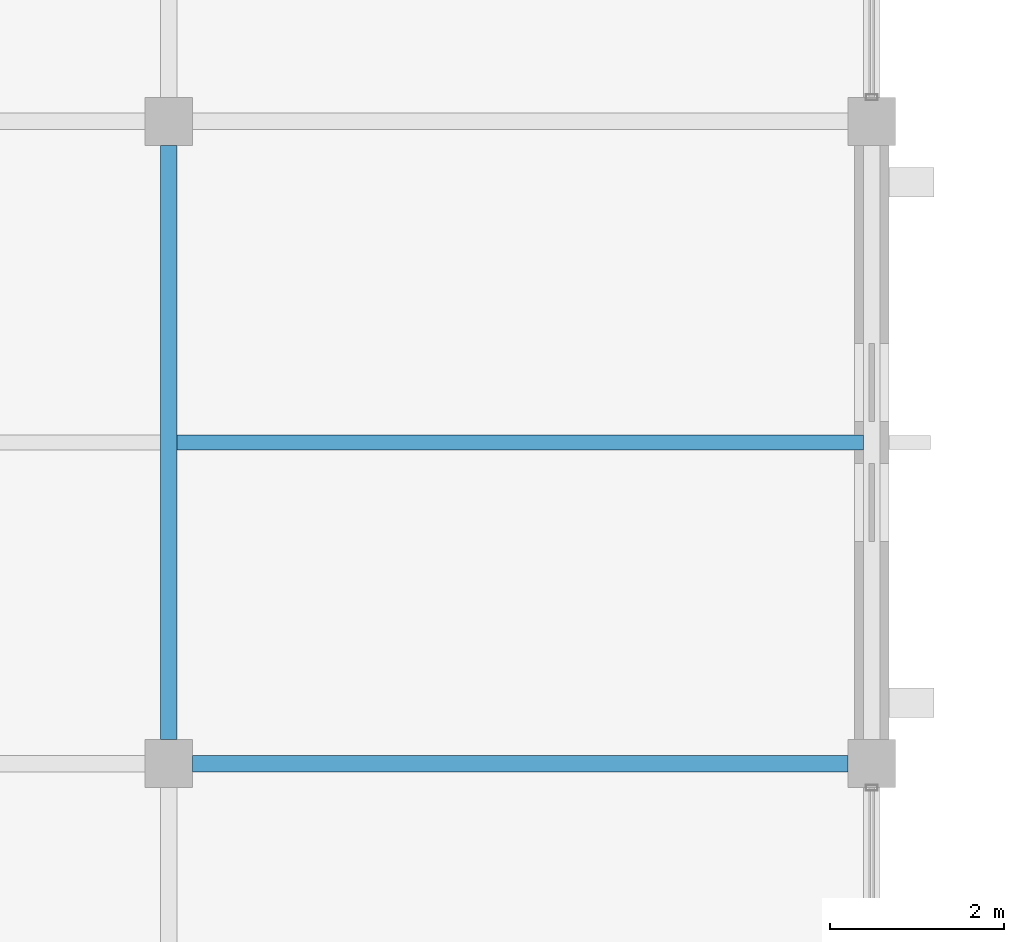
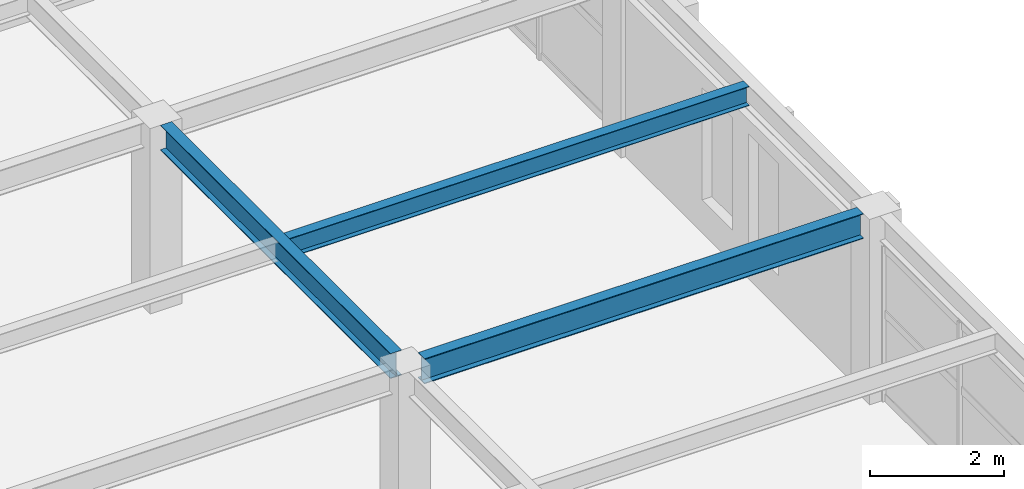
# One storey, part 67 of 121: 3 beams.
"""IFC4 building model written with IfcOpenShell, lengths in metres."""

from ifc_helpers import new_model, si_unit, direction, frame, origin, origin_2d, place, context, subcontext, project, spatial, i_section, extrude, material, material_profile, profile_set, type_object, element, save


model = new_model("IFC4")

# Units and contexts
model_context = context("Model", 3, precision=1e-05, world=origin(), true_north=direction((0.0, 1.0)))
body_context = subcontext(model_context, "Body", "Model", "MODEL_VIEW")
ifc_project = project(units=[si_unit("LENGTHUNIT", "METRE"), si_unit("AREAUNIT", "SQUARE_METRE"), si_unit("VOLUMEUNIT", "CUBIC_METRE"), si_unit("PLANEANGLEUNIT", "RADIAN"), si_unit("MASSUNIT", "GRAM", prefix="KILO")], contexts=[model_context])

# Site, building, storey
site_placement = place(None, origin())
site = spatial("IfcSite", under=ifc_project, at=site_placement, CompositionType="ELEMENT")
building_placement = place(site_placement, origin())
building = spatial("IfcBuilding", under=site, at=building_placement, Name="Cimatlan Art Gallery", CompositionType="ELEMENT")
storey_placement = place(building_placement, frame((0.0, 0.0, 10.199951171875)))
storey = spatial("IfcBuildingStorey", under=building, at=storey_placement, Name="L02", CompositionType="ELEMENT", Elevation=10.199951171875)

# Beams
ifc_material = material(Name="Steel ASTM A992 Grade 50", Category="steel")
ifc_material_profile_1 = material_profile(ifc_material, i_section(OverallWidth=0.1708984375, OverallDepth=0.35107421875, WebThickness=0.0068359375, FlangeThickness=0.009765625, at=origin_2d()), Name="W14X30")
ifc_profile_set_1 = profile_set([ifc_material_profile_1], Name="Steel ASTM A992 Grade 50")
beam_type_1 = type_object("IfcBeamType", Name="BM-STL-W14X30", PredefinedType="JOIST", material=ifc_profile_set_1)
beam_1_placement = place(storey_placement, frame((123.595458984375, 72.0, 3.194580078125), z_axis=(1.0, 0.0, 0.0), x_axis=(0.0, 1.0, 0.0)))
element("IfcBeam", 1, at=beam_1_placement, inside=storey, type_object=beam_type_1, Name="JST-L02-15-09", PredefinedType="JOIST", context=body_context, shape_type="SweptSolid", body=[
    extrude(i_section(OverallWidth=0.1708984375, OverallDepth=0.35107421875, WebThickness=0.0068359375, FlangeThickness=0.009765625, at=origin_2d()), origin(), (0.0, 0.0, 1.0), 7.908935546875),
])
ifc_material_profile_2 = material_profile(ifc_material, i_section(OverallWidth=0.19091796875, OverallDepth=0.45703125, WebThickness=0.009033203125, FlangeThickness=0.014404296875, at=origin_2d()), Name="W18X50")
ifc_profile_set_2 = profile_set([ifc_material_profile_2], Name="Steel ASTM A992 Grade 50")
beam_type_2 = type_object("IfcBeamType", Name="BM-STL-W18X50", PredefinedType="BEAM", material=ifc_profile_set_2)
beam_2_placement = place(storey_placement, frame((123.5, 68.574951171875, 3.1416015625), z_axis=(0.0, 1.0, 0.0), x_axis=(-1.0, 0.0, 0.0)))
element("IfcBeam", 2, at=beam_2_placement, inside=storey, type_object=beam_type_2, Name="BM-Y-L02-15-09", PredefinedType="BEAM", context=body_context, shape_type="SweptSolid", body=[
    extrude(i_section(OverallWidth=0.19091796875, OverallDepth=0.45703125, WebThickness=0.009033203125, FlangeThickness=0.014404296875, at=origin_2d()), origin(), (0.0, 0.0, 1.0), 6.85009765625),
])
beam_3_placement = place(storey_placement, frame((123.77490234375, 68.300048828125, 3.1416015625), z_axis=(1.0, 0.0, 0.0), x_axis=(0.0, 1.0, 0.0)))
element("IfcBeam", 3, at=beam_3_placement, inside=storey, type_object=beam_type_2, Name="BM-X-L02-15-09", PredefinedType="BEAM", context=body_context, shape_type="SweptSolid", body=[
    extrude(i_section(OverallWidth=0.19091796875, OverallDepth=0.45703125, WebThickness=0.009033203125, FlangeThickness=0.014404296875, at=origin_2d()), origin(), (0.0, 0.0, 1.0), 7.550048828125),
])

save(model, "model.ifc")
